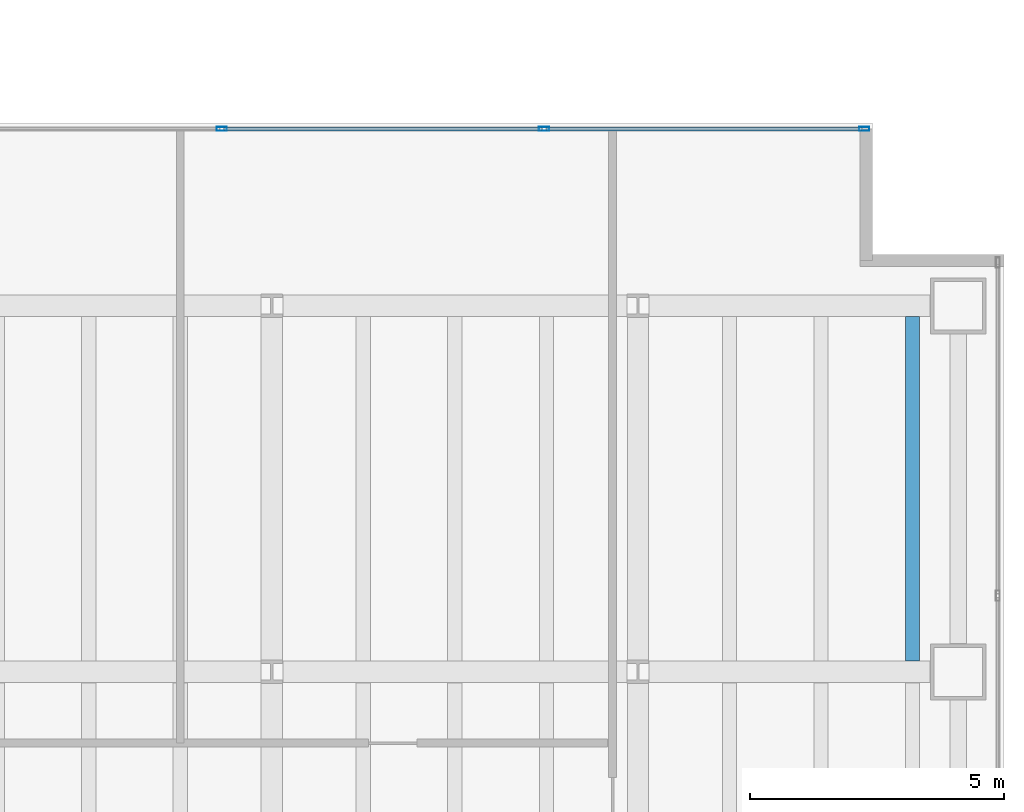
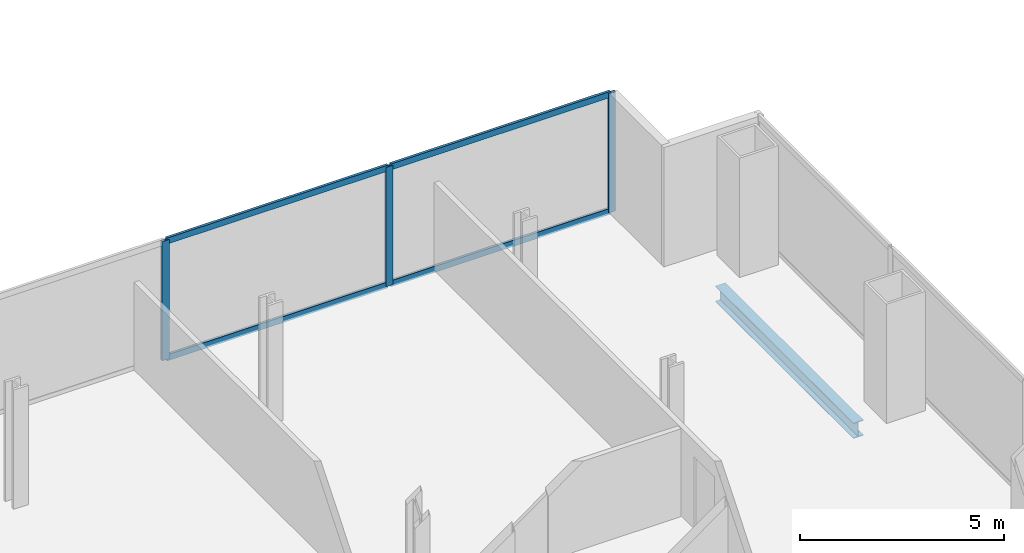
# One storey, part 12 of 23: 7 members, 1 beam, 1 element without a shape of its own.
"""IFC4 building model written with IfcOpenShell, lengths in metres."""

from ifc_helpers import new_model, si_unit, direction, frame, origin, origin_2d, place, context, subcontext, project, spatial, hollow_rectangle, i_section, extrude, material, material_profile, profile_set, type_object, element, aggregate, save


model = new_model("IFC4")

# Units and contexts
model_context = context("Model", 3, precision=1e-05, world=origin(), true_north=direction((0.0, 1.0)))
body_context = subcontext(model_context, "Body", "Model", "MODEL_VIEW")
ifc_project = project(units=[si_unit("LENGTHUNIT", "METRE"), si_unit("AREAUNIT", "SQUARE_METRE"), si_unit("VOLUMEUNIT", "CUBIC_METRE"), si_unit("PLANEANGLEUNIT", "RADIAN"), si_unit("MASSUNIT", "GRAM", prefix="KILO")], contexts=[model_context])

# Site, building, storey
site_placement = place(None, origin())
site = spatial("IfcSite", under=ifc_project, at=site_placement, CompositionType="ELEMENT")
building_placement = place(site_placement, origin())
building = spatial("IfcBuilding", under=site, at=building_placement, Name="Cobrela Telecom Tower", CompositionType="ELEMENT")
storey_placement = place(building_placement, frame((0.0, 0.0, 38.85009765625)))
storey = spatial("IfcBuildingStorey", under=building, at=storey_placement, Name="L09", CompositionType="ELEMENT", Elevation=38.85009765625)

# Beam
ifc_material_1 = material(Name="Steel ASTM A992 Grade 50", Category="steel")
ifc_material_profile_1 = material_profile(ifc_material_1, i_section(OverallWidth=0.281982421875, OverallDepth=0.467041015625, WebThickness=0.01220703125, FlangeThickness=0.01953125, FilletRadius=0.012939453125, at=origin_2d()), Name="W18X86")
ifc_profile_set_1 = profile_set([ifc_material_profile_1], Name="Steel ASTM A992 Grade 50")
beam_type = type_object("IfcBeamType", Name="BM-JOIST-02", PredefinedType="JOIST", material=ifc_profile_set_1)
beam_placement = place(storey_placement, frame((48.60009765625, 14.614501953125, -0.513671875), z_axis=(0.0, 1.0, 0.0), x_axis=(-1.0, 0.0, 0.0)))
element("IfcBeam", 1, at=beam_placement, inside=storey, type_object=beam_type, Name="L09 Secondary Composite Floor Beam J64", PredefinedType="JOIST", context=body_context, shape_type="SweptSolid", body=[
    extrude(i_section(OverallWidth=0.281982421875, OverallDepth=0.467041015625, WebThickness=0.01220703125, FlangeThickness=0.01953125, FilletRadius=0.012939453125, at=origin_2d()), origin(), (0.0, 0.0, 1.0), 6.77099609375),
])

# Curtain wall, members
ifc_material_2 = material(Name="Anodized Bronze Aluminium 6063-T6", Category="aluminium")
curtain_wall_type = type_object("IfcCurtainWallType", Name="CW-SYS-DATA", PredefinedType="USERDEFINED", material=ifc_material_2)
curtain_wall_placement = place(storey_placement, origin())
curtain_wall = element("IfcCurtainWall", 2, at=curtain_wall_placement, inside=storey, type_object=curtain_wall_type, Name="L09 Unitised Bronze Curtain Wall 11", ObjectType="UNITISED CURTAIN WALL", PredefinedType="USERDEFINED")
ifc_material_profile_2 = material_profile(ifc_material_2, hollow_rectangle(XDim=0.080078125, YDim=0.199951171875, WallThickness=0.00390625, at=origin_2d()), Name="ALU 80x200x4")
ifc_profile_set_2 = profile_set([ifc_material_profile_2], Name="Anodized Bronze Aluminium 6063-T6")
member_type_1 = type_object("IfcMemberType", Name="CW-SYS-DATA-MUL", PredefinedType="MULLION", material=ifc_profile_set_2)
member_1_placement = place(storey_placement, frame((35.0166015625, 25.080078125, 0.0), z_axis=(0.0, 0.0, 1.0), x_axis=(0.0, 1.0, 0.0)))
member_1 = element("IfcMember", 3, at=member_1_placement, type_object=member_type_1, Name="CW-DATA mullion 2", PredefinedType="MULLION", context=body_context, shape_type="SweptSolid", body=[
    extrude(hollow_rectangle(XDim=0.080078125, YDim=0.199951171875, WallThickness=0.00390625, at=origin_2d()), origin(), (0.0, 0.0, 1.0), 3.56982421875),
])
member_2_placement = place(storey_placement, frame((41.353271484375, 25.080078125, 0.0), z_axis=(0.0, 0.0, 1.0), x_axis=(0.0, 1.0, 0.0)))
member_2 = element("IfcMember", 4, at=member_2_placement, type_object=member_type_1, Name="CW-DATA mullion 3", PredefinedType="MULLION", context=body_context, shape_type="SweptSolid", body=[
    extrude(hollow_rectangle(XDim=0.080078125, YDim=0.199951171875, WallThickness=0.00390625, at=origin_2d()), origin(), (0.0, 0.0, 1.0), 3.56982421875),
])
member_3_placement = place(storey_placement, frame((47.64990234375, 25.080078125, 0.0), z_axis=(0.0, 0.0, 1.0), x_axis=(0.0, 1.0, 0.0)))
member_3 = element("IfcMember", 5, at=member_3_placement, type_object=member_type_1, Name="CW-DATA mullion 4", PredefinedType="MULLION", context=body_context, shape_type="SweptSolid", body=[
    extrude(hollow_rectangle(XDim=0.080078125, YDim=0.199951171875, WallThickness=0.00390625, at=origin_2d()), origin(), (0.0, 0.0, 1.0), 3.56982421875),
])
ifc_material_profile_3 = material_profile(ifc_material_2, hollow_rectangle(XDim=0.074951171875, YDim=0.179931640625, WallThickness=0.00390625, at=origin_2d()), Name="ALU 75x180x4")
ifc_profile_set_3 = profile_set([ifc_material_profile_3], Name="Anodized Bronze Aluminium 6063-T6")
member_type_2 = type_object("IfcMemberType", Name="CW-SYS-DATA-TRN", PredefinedType="USERDEFINED", material=ifc_profile_set_3)
member_4_placement = place(storey_placement, frame((35.056640625, 25.080078125, 0.037353515625), z_axis=(1.0, 0.0, 0.0), x_axis=(0.0, 1.0, 0.0)))
member_4 = element("IfcMember", 6, at=member_4_placement, type_object=member_type_2, Name="CW-DATA transom 2.1", ObjectType="TRANSOM", PredefinedType="USERDEFINED", context=body_context, shape_type="SweptSolid", body=[
    extrude(hollow_rectangle(XDim=0.074951171875, YDim=0.179931640625, WallThickness=0.00390625, at=origin_2d()), origin(), (0.0, 0.0, 1.0), 6.256591796875),
])
member_5_placement = place(storey_placement, frame((35.056640625, 25.080078125, 3.532470703125), z_axis=(1.0, 0.0, 0.0), x_axis=(0.0, 1.0, 0.0)))
member_5 = element("IfcMember", 7, at=member_5_placement, type_object=member_type_2, Name="CW-DATA transom 2.2", ObjectType="TRANSOM", PredefinedType="USERDEFINED", context=body_context, shape_type="SweptSolid", body=[
    extrude(hollow_rectangle(XDim=0.074951171875, YDim=0.179931640625, WallThickness=0.00390625, at=origin_2d()), origin(), (0.0, 0.0, 1.0), 6.256591796875),
])
member_6_placement = place(storey_placement, frame((41.393310546875, 25.080078125, 0.037353515625), z_axis=(1.0, 0.0, 0.0), x_axis=(0.0, 1.0, 0.0)))
member_6 = element("IfcMember", 8, at=member_6_placement, type_object=member_type_2, Name="CW-DATA transom 3.1", ObjectType="TRANSOM", PredefinedType="USERDEFINED", context=body_context, shape_type="SweptSolid", body=[
    extrude(hollow_rectangle(XDim=0.074951171875, YDim=0.179931640625, WallThickness=0.00390625, at=origin_2d()), origin(), (0.0, 0.0, 1.0), 6.216796875),
])
member_7_placement = place(storey_placement, frame((41.393310546875, 25.080078125, 3.532470703125), z_axis=(1.0, 0.0, 0.0), x_axis=(0.0, 1.0, 0.0)))
member_7 = element("IfcMember", 9, at=member_7_placement, type_object=member_type_2, Name="CW-DATA transom 3.2", ObjectType="TRANSOM", PredefinedType="USERDEFINED", context=body_context, shape_type="SweptSolid", body=[
    extrude(hollow_rectangle(XDim=0.074951171875, YDim=0.179931640625, WallThickness=0.00390625, at=origin_2d()), origin(), (0.0, 0.0, 1.0), 6.216796875),
])
aggregate(curtain_wall, [member_1, member_2, member_3, member_4, member_5, member_6, member_7])

save(model, "model.ifc")
